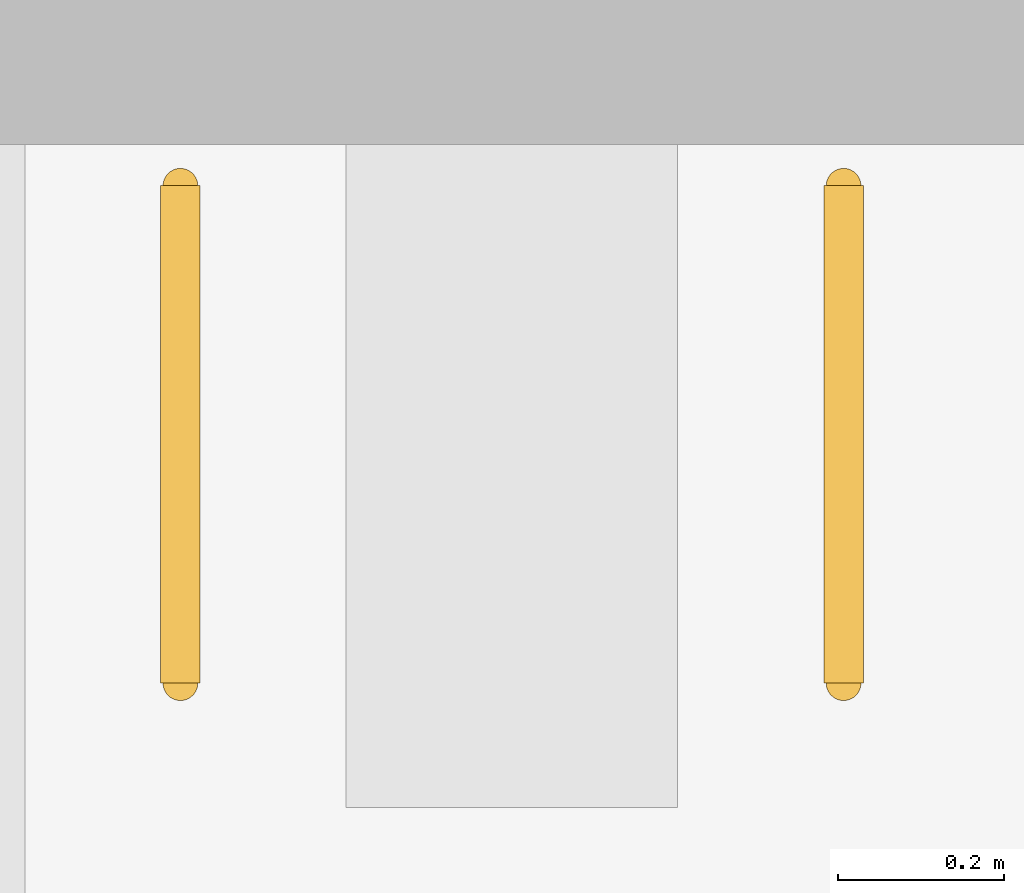
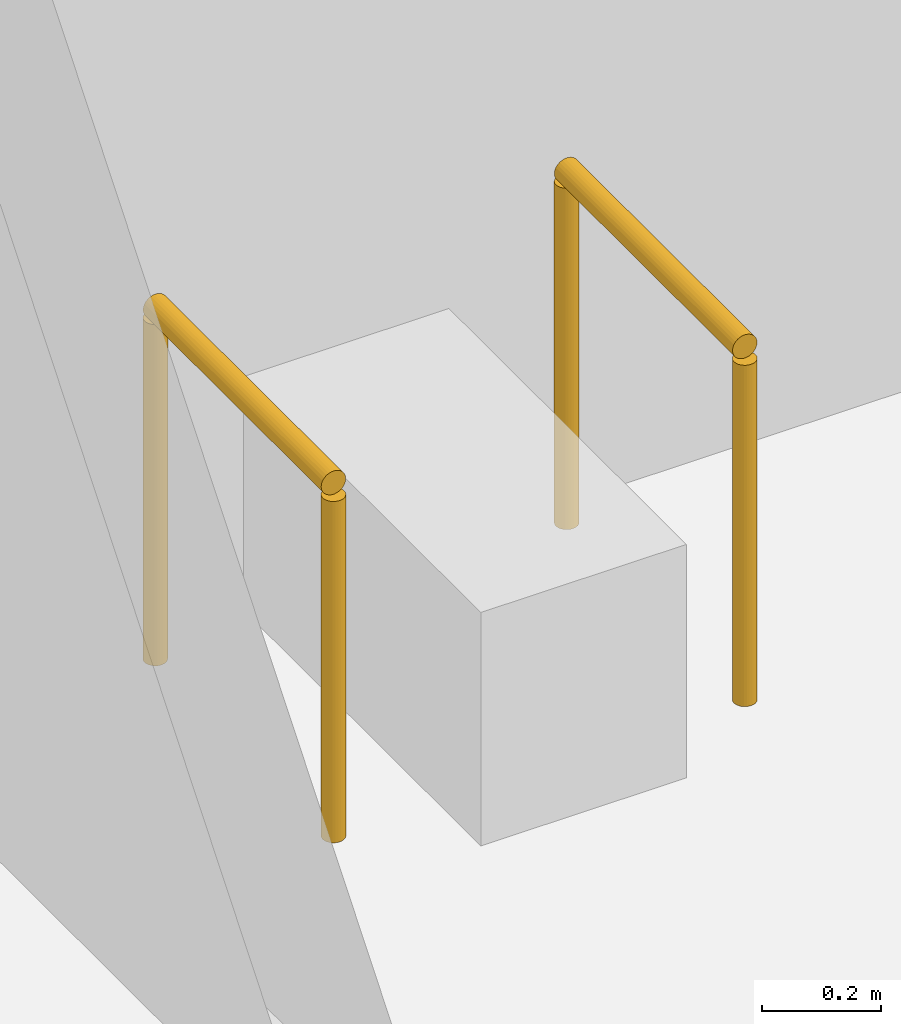
# One storey, part 226 of 250: 2 railings.
"""IFC4 building model written with IfcOpenShell, lengths in metres."""

from ifc_helpers import new_model, si_unit, direction, frame, origin, origin_2d, place, context, subcontext, project, spatial, circle, extrude, material, type_object, element, save


model = new_model("IFC4")

# Units and contexts
model_context = context("Model", 3, precision=1e-05, world=origin(), true_north=direction((0.0, 1.0)))
body_context = subcontext(model_context, "Body", "Model", "MODEL_VIEW")
ifc_project = project(units=[si_unit("LENGTHUNIT", "METRE"), si_unit("AREAUNIT", "SQUARE_METRE"), si_unit("VOLUMEUNIT", "CUBIC_METRE"), si_unit("PLANEANGLEUNIT", "RADIAN"), si_unit("MASSUNIT", "GRAM", prefix="KILO")], contexts=[model_context])

# Site, building, storey
site_placement = place(None, origin())
site = spatial("IfcSite", under=ifc_project, at=site_placement, CompositionType="ELEMENT")
building_placement = place(site_placement, origin())
building = spatial("IfcBuilding", under=site, at=building_placement, Name="Baradari Gate Terminus", CompositionType="ELEMENT")
storey_placement = place(building_placement, origin())
storey = spatial("IfcBuildingStorey", under=building, at=storey_placement, Name="L00", CompositionType="ELEMENT", Elevation=0.0)

# Railings
ifc_material = material(Name="Stainless steel 1.4301", Category="steel")
railing_type = type_object("IfcRailingType", Name="Grab rail GB-1 750", PredefinedType="HANDRAIL", material=ifc_material)
for number, where, name in (
    (1, (117.4375, 95.862548828125, 0.0), "Grab rail Accessible WC"),
    (2, (118.237548828125, 95.862548828125, 0.0), "Grab rail Accessible WC"),
):
    element("IfcRailing", number, at=place(storey_placement, frame(where)), inside=storey, type_object=railing_type, Name=name, PredefinedType="HANDRAIL", context=body_context, shape_type="SweptSolid", body=[
        extrude(circle(Radius=0.02392578125, at=origin_2d()), frame((0.0, 0.0, 0.72607421875), z_axis=(0.0, -1.0, 0.0), x_axis=(1.0, 0.0, 0.0)), (0.0, 0.0, 1.0), 0.60009765625),
        extrude(circle(Radius=0.02099609375, at=origin_2d()), origin(), (0.0, 0.0, 1.0), 0.701904296875),
        extrude(circle(Radius=0.02099609375, at=origin_2d()), frame((0.0, -0.60009765625, 0.0)), (0.0, 0.0, 1.0), 0.701904296875),
    ])

save(model, "model.ifc")
